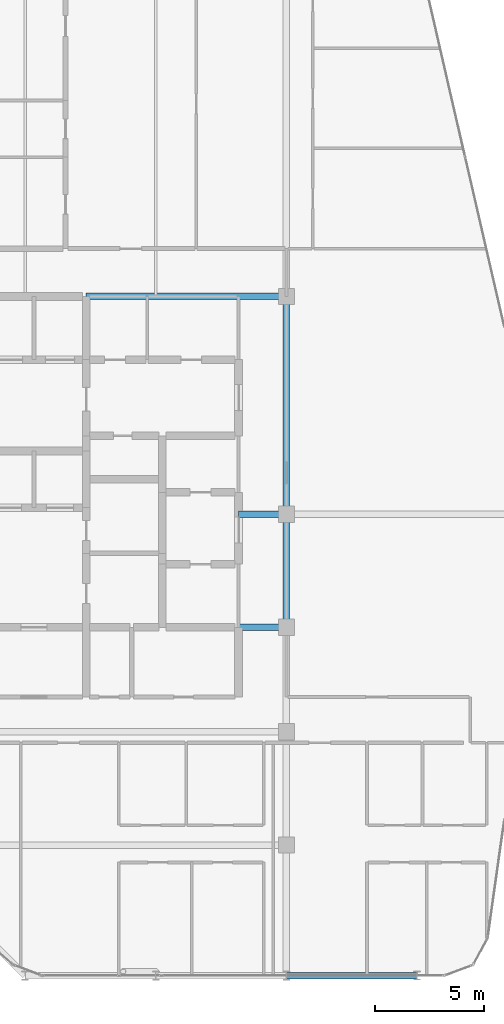
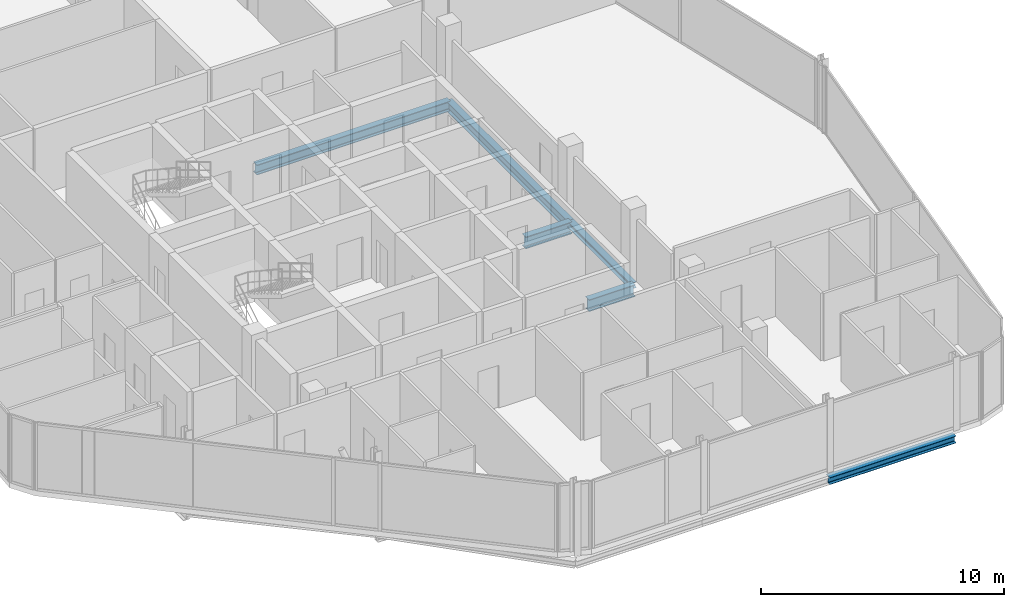
# One storey, part 11 of 27: 6 beams.
"""IFC4 building model written with IfcOpenShell, lengths in metres."""

from ifc_helpers import new_model, si_unit, direction, frame, origin, origin_2d, place, context, subcontext, project, spatial, i_section, extrude, material, material_profile, profile_set, type_object, element, save


model = new_model("IFC4")

# Units and contexts
model_context = context("Model", 3, precision=1e-05, world=origin(), true_north=direction((0.0, 1.0)))
body_context = subcontext(model_context, "Body", "Model", "MODEL_VIEW")
ifc_project = project(units=[si_unit("LENGTHUNIT", "METRE"), si_unit("AREAUNIT", "SQUARE_METRE"), si_unit("VOLUMEUNIT", "CUBIC_METRE"), si_unit("PLANEANGLEUNIT", "RADIAN"), si_unit("MASSUNIT", "GRAM", prefix="KILO")], contexts=[model_context])

# Site, building, storey
site_placement = place(None, origin())
site = spatial("IfcSite", under=ifc_project, at=site_placement, CompositionType="ELEMENT")
building_placement = place(site_placement, origin())
building = spatial("IfcBuilding", under=site, at=building_placement, Name="Keshet Zoharim Tower", CompositionType="ELEMENT")
storey_placement = place(building_placement, frame((0.0, 0.0, 247.300048828125)))
storey = spatial("IfcBuildingStorey", under=building, at=storey_placement, Name="L61", CompositionType="ELEMENT", Elevation=247.300048828125)

# Beams
ifc_material = material(Name="Steel S355", Category="steel")
ifc_material_profile_1 = material_profile(ifc_material, i_section(OverallWidth=0.300048828125, OverallDepth=0.60009765625, WebThickness=0.015380859375, FlangeThickness=0.030029296875, FilletRadius=0.027099609375, at=origin_2d()), Name="HEB600")
ifc_profile_set_1 = profile_set([ifc_material_profile_1], Name="Steel S355")
beam_type_1 = type_object("IfcBeamType", Name="BM-CLK-HB600", PredefinedType="BEAM", material=ifc_profile_set_1)
for number, where, z_axis, x_axis, name in (
    (1, (30.800048828125, 22.699951171875, -0.610107421875), (1.0, 0.0, 0.0), (0.0, 1.0, 0.0), "L61 Core Wall Link Girder 01"),
    (2, (30.800048828125, 27.89990234375, -0.610107421875), (1.0, 0.0, 0.0), (0.0, 1.0, 0.0), "L61 Core Wall Link Girder 02"),
):
    element("IfcBeam", number, at=place(storey_placement, frame(where, z_axis=z_axis, x_axis=x_axis)), inside=storey, type_object=beam_type_1, Name=name, PredefinedType="BEAM", context=body_context, shape_type="SweptSolid", body=[
        extrude(i_section(OverallWidth=0.300048828125, OverallDepth=0.60009765625, WebThickness=0.015380859375, FlangeThickness=0.030029296875, FilletRadius=0.027099609375, at=origin_2d()), origin(), (0.0, 0.0, 1.0), 2.199951171875),
    ])
ifc_material_profile_2 = material_profile(ifc_material, i_section(OverallWidth=0.300048828125, OverallDepth=0.5, WebThickness=0.014404296875, FlangeThickness=0.028076171875, FilletRadius=0.027099609375, at=origin_2d()), Name="HEB500")
ifc_profile_set_2 = profile_set([ifc_material_profile_2], Name="Steel S355")
beam_type_2 = type_object("IfcBeamType", Name="BM-MED-HB500", PredefinedType="BEAM", material=ifc_profile_set_2)
beam_1_placement = place(storey_placement, frame((23.800048828125, 37.89990234375, -0.56005859375), z_axis=(1.0, 0.0, 0.0), x_axis=(0.0, 1.0, 0.0)))
element("IfcBeam", 3, at=beam_1_placement, inside=storey, type_object=beam_type_2, Name="L61 Primary Girder X-009", PredefinedType="BEAM", context=body_context, shape_type="SweptSolid", body=[
    extrude(i_section(OverallWidth=0.300048828125, OverallDepth=0.5, WebThickness=0.014404296875, FlangeThickness=0.028076171875, FilletRadius=0.027099609375, at=origin_2d()), origin(), (0.0, 0.0, 1.0), 9.199951171875),
])
beam_2_placement = place(storey_placement, frame((33.0, 27.89990234375, -0.56005859375), z_axis=(0.0, 1.0, 0.0), x_axis=(-1.0, 0.0, 0.0)))
element("IfcBeam", 4, at=beam_2_placement, inside=storey, type_object=beam_type_2, Name="L61 Primary Girder Y-008", PredefinedType="BEAM", context=body_context, shape_type="SweptSolid", body=[
    extrude(i_section(OverallWidth=0.300048828125, OverallDepth=0.5, WebThickness=0.014404296875, FlangeThickness=0.028076171875, FilletRadius=0.027099609375, at=origin_2d()), origin(), (0.0, 0.0, 1.0), 10.0),
])
ifc_material_profile_3 = material_profile(ifc_material, i_section(OverallWidth=0.300048828125, OverallDepth=0.2900390625, WebThickness=0.008544921875, FlangeThickness=0.013916015625, FilletRadius=0.027099609375, at=origin_2d()), Name="HEA300")
ifc_profile_set_3 = profile_set([ifc_material_profile_3], Name="Steel S355")
beam_type_3 = type_object("IfcBeamType", Name="BM-PRI-HA300", PredefinedType="BEAM", material=ifc_profile_set_3)
beam_3_placement = place(storey_placement, frame((33.0, 22.699951171875, -0.455078125), z_axis=(0.0, 1.0, 0.0), x_axis=(-1.0, 0.0, 0.0)))
element("IfcBeam", 5, at=beam_3_placement, inside=storey, type_object=beam_type_3, Name="L61 Primary Girder Y-007", PredefinedType="BEAM", context=body_context, shape_type="SweptSolid", body=[
    extrude(i_section(OverallWidth=0.300048828125, OverallDepth=0.2900390625, WebThickness=0.008544921875, FlangeThickness=0.013916015625, FilletRadius=0.027099609375, at=origin_2d()), origin(), (0.0, 0.0, 1.0), 5.199951171875),
])
ifc_material_profile_4 = material_profile(ifc_material, i_section(OverallWidth=0.300048828125, OverallDepth=0.35009765625, WebThickness=0.010009765625, FlangeThickness=0.017578125, FilletRadius=0.027099609375, at=origin_2d()), Name="HEA360")
ifc_profile_set_4 = profile_set([ifc_material_profile_4], Name="Steel S355")
beam_type_4 = type_object("IfcBeamType", Name="BM-PRI-HA360", PredefinedType="BEAM", material=ifc_profile_set_4)
beam_4_placement = place(storey_placement, frame((33.0, 6.699951171875, -0.485107421875), z_axis=(1.0, 0.0, 0.0), x_axis=(0.0, 1.0, 0.0)))
element("IfcBeam", 6, at=beam_4_placement, inside=storey, type_object=beam_type_4, Name="L61 Primary Girder X-003", PredefinedType="BEAM", context=body_context, shape_type="SweptSolid", body=[
    extrude(i_section(OverallWidth=0.300048828125, OverallDepth=0.35009765625, WebThickness=0.010009765625, FlangeThickness=0.017578125, FilletRadius=0.027099609375, at=origin_2d()), origin(), (0.0, 0.0, 1.0), 6.0),
])

save(model, "model.ifc")
